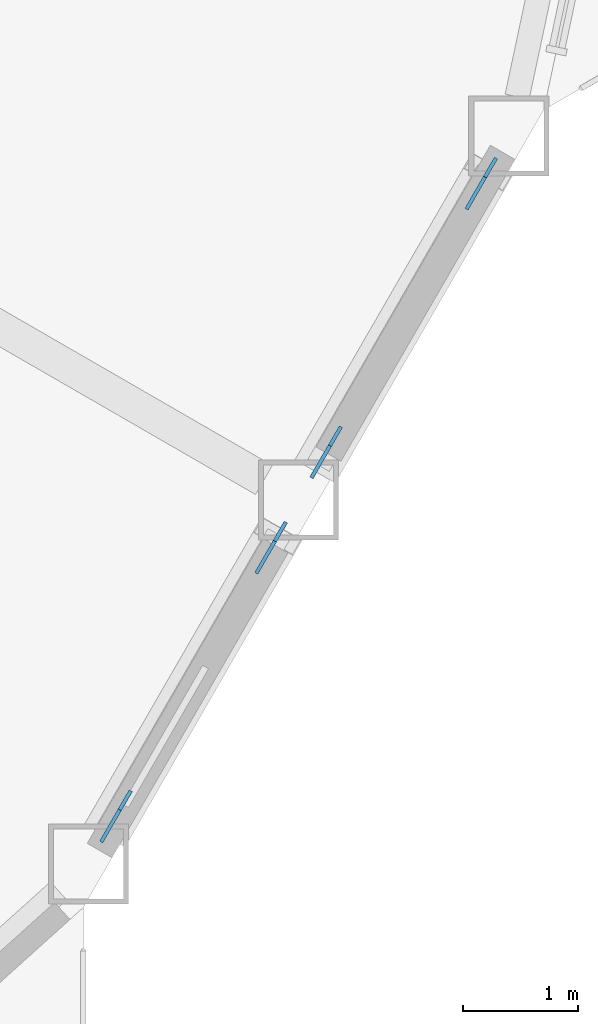
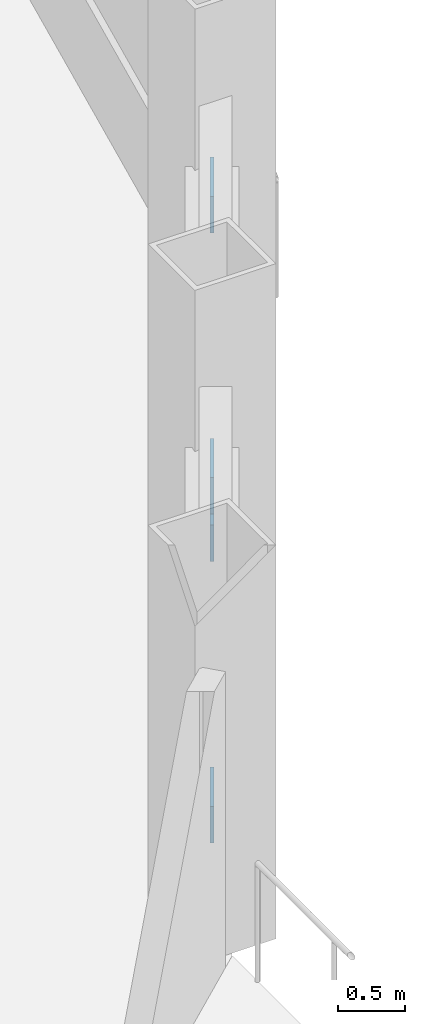
# One storey, part 17 of 23: 4 discrete accessories.
"""IFC4 building model written with IfcOpenShell, lengths in metres."""

from ifc_helpers import new_model, si_unit, direction, frame, origin, origin_2d, place, context, subcontext, project, spatial, rectangle, extrude, material, material_profile, profile_set, type_object, element, save


model = new_model("IFC4")

# Units and contexts
model_context = context("Model", 3, precision=1e-05, world=origin(), true_north=direction((0.0, 1.0)))
body_context = subcontext(model_context, "Body", "Model", "MODEL_VIEW")
ifc_project = project(units=[si_unit("LENGTHUNIT", "METRE"), si_unit("AREAUNIT", "SQUARE_METRE"), si_unit("VOLUMEUNIT", "CUBIC_METRE"), si_unit("PLANEANGLEUNIT", "RADIAN"), si_unit("MASSUNIT", "GRAM", prefix="KILO")], contexts=[model_context])

# Site, building, storey
site_placement = place(None, origin())
site = spatial("IfcSite", under=ifc_project, at=site_placement, CompositionType="ELEMENT")
building_placement = place(site_placement, origin())
building = spatial("IfcBuilding", under=site, at=building_placement, Name="Cormorant Prow Tower", CompositionType="ELEMENT")
storey_placement = place(building_placement, frame((0.0, 0.0, 259.800048828125)))
storey = spatial("IfcBuildingStorey", under=building, at=storey_placement, Name="L58", CompositionType="ELEMENT", Elevation=259.800048828125)

# Discrete accessories
ifc_material = material(Name="Structural steel ASTM A500 Gr C", Category="steel")
ifc_material_profile = material_profile(ifc_material, rectangle(XDim=0.031982421875, YDim=0.506103515625, at=origin_2d()), Name="Gusset plate 32x506")
ifc_profile_set = profile_set([ifc_material_profile], Name="Structural steel ASTM A500 Gr C")
discrete_accessory_type = type_object("IfcDiscreteAccessoryType", Name="Gusset plate 32x506", PredefinedType="BRACKET", material=ifc_profile_set)
discrete_accessory_1_placement = place(storey_placement, frame((26.262939453125, -18.658203125, 0.863037109375), z_axis=(-0.462827914709, -0.801584490837, -0.378487285673), x_axis=(0.866010015463, -0.500026652407, 0.0)))
element("IfcDiscreteAccessory", 1, at=discrete_accessory_1_placement, inside=storey, type_object=discrete_accessory_type, Name="Gusset plate GP2 L58.ESE00.g0", PredefinedType="BRACKET", context=body_context, shape_type="SweptSolid", body=[
    extrude(rectangle(XDim=0.031982421875, YDim=0.506103515625, at=origin_2d()), origin(), (0.0, 0.0, 1.0), 0.350341796875),
])
discrete_accessory_2_placement = place(storey_placement, frame((27.454833984375, -16.59375, 1.837890625), z_axis=(0.46266066689, 0.801805590131, 0.37822335061), x_axis=(-0.866147934042, 0.499787711288, 0.0)))
element("IfcDiscreteAccessory", 2, at=discrete_accessory_2_placement, inside=storey, type_object=discrete_accessory_type, Name="Gusset plate GP2 L58.ESE00.g1", PredefinedType="BRACKET", context=body_context, shape_type="SweptSolid", body=[
    extrude(rectangle(XDim=0.031982421875, YDim=0.506103515625, at=origin_2d()), origin(), (0.0, 0.0, 1.0), 0.349853515625),
])
discrete_accessory_3_placement = place(storey_placement, frame((28.09814453125, -15.4794921875, 0.863037109375), z_axis=(-0.462827914709, -0.801584490837, -0.378487285673), x_axis=(0.866010015463, -0.500026652407, 0.0)))
element("IfcDiscreteAccessory", 3, at=discrete_accessory_3_placement, inside=storey, type_object=discrete_accessory_type, Name="Gusset plate GP2 L58.ESE01.g0", PredefinedType="BRACKET", context=body_context, shape_type="SweptSolid", body=[
    extrude(rectangle(XDim=0.031982421875, YDim=0.506103515625, at=origin_2d()), origin(), (0.0, 0.0, 1.0), 0.350341796875),
])
discrete_accessory_4_placement = place(storey_placement, frame((29.2900390625, -13.4150390625, 1.837890625), z_axis=(0.46266066689, 0.801805590131, 0.37822335061), x_axis=(-0.866147934042, 0.499787711288, 0.0)))
element("IfcDiscreteAccessory", 4, at=discrete_accessory_4_placement, inside=storey, type_object=discrete_accessory_type, Name="Gusset plate GP2 L58.ESE01.g1", PredefinedType="BRACKET", context=body_context, shape_type="SweptSolid", body=[
    extrude(rectangle(XDim=0.031982421875, YDim=0.506103515625, at=origin_2d()), origin(), (0.0, 0.0, 1.0), 0.349853515625),
])

save(model, "model.ifc")
